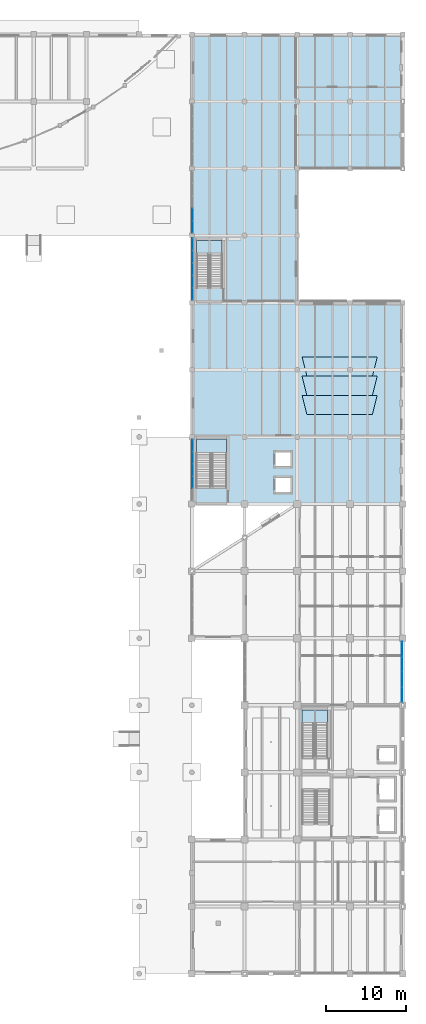
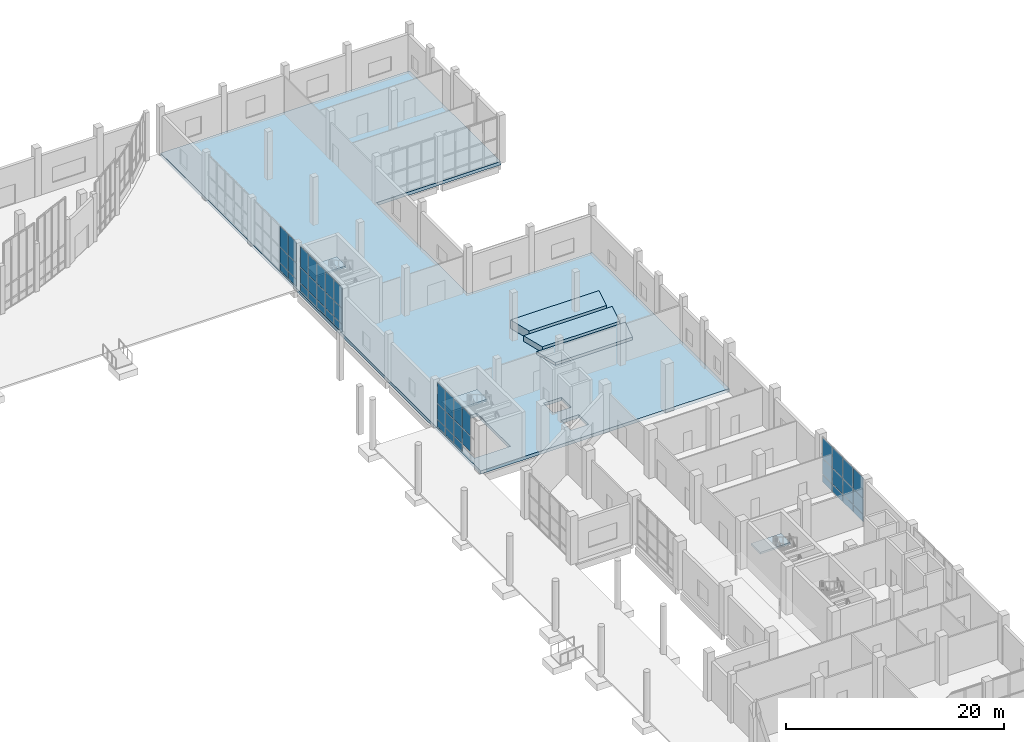
# One storey, part 35 of 64: 44 plates, 7 slabs, 7 elements without a shape of their own.
"""IFC4 building model written with IfcOpenShell, lengths in metres."""

from ifc_helpers import new_model, si_unit, direction, frame, origin, origin_2d, place, context, subcontext, project, spatial, polyline, rectangle, outline, extrude, material, layer, layer_set, type_object, element, aggregate, save


model = new_model("IFC4")

# Units and contexts
model_context = context("Model", 3, precision=1e-05, world=origin(), true_north=direction((0.0, 1.0)))
body_context = subcontext(model_context, "Body", "Model", "MODEL_VIEW")
ifc_project = project(units=[si_unit("LENGTHUNIT", "METRE"), si_unit("AREAUNIT", "SQUARE_METRE"), si_unit("VOLUMEUNIT", "CUBIC_METRE"), si_unit("PLANEANGLEUNIT", "RADIAN"), si_unit("MASSUNIT", "GRAM", prefix="KILO")], contexts=[model_context])

# Site, building, storey
site_placement = place(None, origin())
site = spatial("IfcSite", under=ifc_project, at=site_placement, CompositionType="ELEMENT")
building_placement = place(site_placement, origin())
building = spatial("IfcBuilding", under=site, at=building_placement, Name="Qaldarim Faculty of Natural and Applied Sciences", CompositionType="ELEMENT")
storey_placement = place(building_placement, origin())
storey = spatial("IfcBuildingStorey", under=building, at=storey_placement, Name="L00", CompositionType="ELEMENT", Elevation=0.0)

# Slabs
ifc_material_1 = material(Name="Concrete C40/50", Category="concrete")
ifc_layer_1 = layer(ifc_material_1, 0.360107421875)
ifc_layer_set_1 = layer_set([ifc_layer_1], Name="Concrete C40/50")
slab_type_1 = type_object("IfcSlabType", Name="GroundFloorSlab-360", PredefinedType="FLOOR", material=ifc_layer_set_1)
slab_1_placement = place(storey_placement, frame((0.0, 0.0, -0.360107421875)))
element("IfcSlab", 1, at=slab_1_placement, inside=storey, type_object=slab_type_1, Name="Floor slab L00 V3", PredefinedType="FLOOR", context=body_context, shape_type="SweptSolid", body=[
    extrude(outline(polyline([(151.800048828125, 58.800048828125), (151.800048828125, 117.60009765625), (178.199951171875, 117.60009765625), (178.199951171875, 100.800048828125), (165.0, 100.800048828125), (165.0, 84.0), (178.199951171875, 84.0), (178.199951171875, 58.800048828125), (151.800048828125, 58.800048828125)]), holes=[polyline([(156.14990234375, 60.864990234375), (156.14990234375, 66.97509765625), (152.35009765625, 66.97509765625), (152.35009765625, 60.864990234375), (156.14990234375, 60.864990234375)]), polyline([(162.25, 60.300048828125), (164.14990234375, 60.300048828125), (164.14990234375, 62.10009765625), (162.25, 62.10009765625), (162.25, 60.300048828125)]), polyline([(162.25, 63.5), (164.14990234375, 63.5), (164.14990234375, 65.300048828125), (162.25, 65.300048828125), (162.25, 63.5)])]), origin(), (0.0, 0.0, 1.0), 0.360107421875),
])
ifc_layer_2 = layer(ifc_material_1, 0.239990234375)
ifc_layer_set_2 = layer_set([ifc_layer_2], Name="Concrete C40/50")
slab_type_2 = type_object("IfcSlabType", Name="LectureSeatingTier-240", PredefinedType="USERDEFINED", material=ifc_layer_set_2)
slab_2_placement = place(storey_placement, origin())
element("IfcSlab", 2, at=slab_2_placement, inside=storey, type_object=slab_type_2, Name="Commons stepped reading tier L00 step 1", ObjectType="SEATING TIER", PredefinedType="USERDEFINED", context=body_context, shape_type="SweptSolid", body=[
    extrude(outline(polyline([(166.199951171875, 70.0), (174.39990234375, 70.0), (175.0, 72.39990234375), (165.60009765625, 72.39990234375), (166.199951171875, 70.0)])), origin(), (0.0, 0.0, 1.0), 0.320068359375),
])
slab_3_placement = place(storey_placement, origin())
element("IfcSlab", 3, at=slab_3_placement, inside=storey, type_object=slab_type_2, Name="Commons stepped reading tier L00 step 2", ObjectType="SEATING TIER", PredefinedType="USERDEFINED", context=body_context, shape_type="SweptSolid", body=[
    extrude(outline(polyline([(166.199951171875, 72.39990234375), (174.39990234375, 72.39990234375), (175.0, 74.800048828125), (165.60009765625, 74.800048828125), (166.199951171875, 72.39990234375)])), origin(), (0.0, 0.0, 1.0), 0.639892578125),
])
slab_4_placement = place(storey_placement, origin())
element("IfcSlab", 4, at=slab_4_placement, inside=storey, type_object=slab_type_2, Name="Commons stepped reading tier L00 step 3", ObjectType="SEATING TIER", PredefinedType="USERDEFINED", context=body_context, shape_type="SweptSolid", body=[
    extrude(outline(polyline([(166.199951171875, 74.800048828125), (174.39990234375, 74.800048828125), (175.0, 77.199951171875), (165.60009765625, 77.199951171875), (166.199951171875, 74.800048828125)])), origin(), (0.0, 0.0, 1.0), 0.9599609375),
])

# Curtain wall, plates
ifc_material_2 = material(Name="Anodised aluminium AW-6063", Category="aluminium")
curtain_wall_type_1 = type_object("IfcCurtainWallType", Name="CurtainWallSystem-M1700", PredefinedType="USERDEFINED", material=ifc_material_2)
curtain_wall_1_placement = place(storey_placement, origin())
curtain_wall_1 = element("IfcCurtainWall", 5, at=curtain_wall_1_placement, inside=storey, type_object=curtain_wall_type_1, Name="Curtain wall CW-L00-E-X27Y05", ObjectType="UNITISED FACADE", PredefinedType="USERDEFINED")
ifc_material_3 = material(Name="Insulated low-e double glazing", Category="glass")
ifc_layer_3 = layer(ifc_material_3, 0.031982421875)
ifc_layer_set_3 = layer_set([ifc_layer_3], Name="Insulated low-e double glazing")
plate_type_1 = type_object("IfcPlateType", Name="SolarControlGlazingPanel-32", PredefinedType="CURTAIN_PANEL", material=ifc_layer_set_3)
plate_1_placement = place(storey_placement, frame((178.1201171875, 34.963623046875, 0.070068359375), z_axis=(0.0, 0.0, 1.0), x_axis=(0.0, 1.0, 0.0)))
plate_1 = element("IfcPlate", 6, at=plate_1_placement, type_object=plate_type_1, Name="Glazed panel 1-1 of CW-L00-E-X27Y05", PredefinedType="CURTAIN_PANEL", context=body_context, shape_type="SweptSolid", body=[
    extrude(rectangle(XDim=1.797607421875, YDim=0.031982421875, at=origin_2d()), origin(), (0.0, 0.0, 1.0), 0.794921875),
])
plate_2_placement = place(storey_placement, frame((178.1201171875, 34.963623046875, 0.93505859375), z_axis=(0.0, 0.0, 1.0), x_axis=(0.0, 1.0, 0.0)))
plate_2 = element("IfcPlate", 7, at=plate_2_placement, type_object=plate_type_1, Name="Glazed panel 1-2 of CW-L00-E-X27Y05", PredefinedType="CURTAIN_PANEL", context=body_context, shape_type="SweptSolid", body=[
    extrude(rectangle(XDim=1.797607421875, YDim=0.031982421875, at=origin_2d()), origin(), (0.0, 0.0, 1.0), 1.72998046875),
])
plate_3_placement = place(storey_placement, frame((178.1201171875, 34.963623046875, 2.735107421875), z_axis=(0.0, 0.0, 1.0), x_axis=(0.0, 1.0, 0.0)))
plate_3 = element("IfcPlate", 8, at=plate_3_placement, type_object=plate_type_1, Name="Glazed panel 1-3 of CW-L00-E-X27Y05", PredefinedType="CURTAIN_PANEL", context=body_context, shape_type="SweptSolid", body=[
    extrude(rectangle(XDim=1.797607421875, YDim=0.031982421875, at=origin_2d()), origin(), (0.0, 0.0, 1.0), 2.294921875),
])
plate_4_placement = place(storey_placement, frame((178.1201171875, 36.8486328125, 0.070068359375), z_axis=(0.0, 0.0, 1.0), x_axis=(0.0, 1.0, 0.0)))
plate_4 = element("IfcPlate", 9, at=plate_4_placement, type_object=plate_type_1, Name="Glazed panel 2-1 of CW-L00-E-X27Y05", PredefinedType="CURTAIN_PANEL", context=body_context, shape_type="SweptSolid", body=[
    extrude(rectangle(XDim=1.83251953125, YDim=0.031982421875, at=origin_2d()), origin(), (0.0, 0.0, 1.0), 0.794921875),
])
plate_5_placement = place(storey_placement, frame((178.1201171875, 36.8486328125, 0.93505859375), z_axis=(0.0, 0.0, 1.0), x_axis=(0.0, 1.0, 0.0)))
plate_5 = element("IfcPlate", 10, at=plate_5_placement, type_object=plate_type_1, Name="Glazed panel 2-2 of CW-L00-E-X27Y05", PredefinedType="CURTAIN_PANEL", context=body_context, shape_type="SweptSolid", body=[
    extrude(rectangle(XDim=1.83251953125, YDim=0.031982421875, at=origin_2d()), origin(), (0.0, 0.0, 1.0), 1.72998046875),
])
plate_6_placement = place(storey_placement, frame((178.1201171875, 36.8486328125, 2.735107421875), z_axis=(0.0, 0.0, 1.0), x_axis=(0.0, 1.0, 0.0)))
plate_6 = element("IfcPlate", 11, at=plate_6_placement, type_object=plate_type_1, Name="Glazed panel 2-3 of CW-L00-E-X27Y05", PredefinedType="CURTAIN_PANEL", context=body_context, shape_type="SweptSolid", body=[
    extrude(rectangle(XDim=1.83251953125, YDim=0.031982421875, at=origin_2d()), origin(), (0.0, 0.0, 1.0), 2.294921875),
])
plate_7_placement = place(storey_placement, frame((178.1201171875, 38.751220703125, 0.070068359375), z_axis=(0.0, 0.0, 1.0), x_axis=(0.0, 1.0, 0.0)))
plate_7 = element("IfcPlate", 12, at=plate_7_placement, type_object=plate_type_1, Name="Glazed panel 3-1 of CW-L00-E-X27Y05", PredefinedType="CURTAIN_PANEL", context=body_context, shape_type="SweptSolid", body=[
    extrude(rectangle(XDim=1.83251953125, YDim=0.031982421875, at=origin_2d()), origin(), (0.0, 0.0, 1.0), 0.794921875),
])
plate_8_placement = place(storey_placement, frame((178.1201171875, 38.751220703125, 0.93505859375), z_axis=(0.0, 0.0, 1.0), x_axis=(0.0, 1.0, 0.0)))
plate_8 = element("IfcPlate", 13, at=plate_8_placement, type_object=plate_type_1, Name="Glazed panel 3-2 of CW-L00-E-X27Y05", PredefinedType="CURTAIN_PANEL", context=body_context, shape_type="SweptSolid", body=[
    extrude(rectangle(XDim=1.83251953125, YDim=0.031982421875, at=origin_2d()), origin(), (0.0, 0.0, 1.0), 1.72998046875),
])
plate_9_placement = place(storey_placement, frame((178.1201171875, 38.751220703125, 2.735107421875), z_axis=(0.0, 0.0, 1.0), x_axis=(0.0, 1.0, 0.0)))
plate_9 = element("IfcPlate", 14, at=plate_9_placement, type_object=plate_type_1, Name="Glazed panel 3-3 of CW-L00-E-X27Y05", PredefinedType="CURTAIN_PANEL", context=body_context, shape_type="SweptSolid", body=[
    extrude(rectangle(XDim=1.83251953125, YDim=0.031982421875, at=origin_2d()), origin(), (0.0, 0.0, 1.0), 2.294921875),
])
plate_10_placement = place(storey_placement, frame((178.1201171875, 40.63623046875, 0.070068359375), z_axis=(0.0, 0.0, 1.0), x_axis=(0.0, 1.0, 0.0)))
plate_10 = element("IfcPlate", 15, at=plate_10_placement, type_object=plate_type_1, Name="Glazed panel 4-1 of CW-L00-E-X27Y05", PredefinedType="CURTAIN_PANEL", context=body_context, shape_type="SweptSolid", body=[
    extrude(rectangle(XDim=1.797607421875, YDim=0.031982421875, at=origin_2d()), origin(), (0.0, 0.0, 1.0), 0.794921875),
])
plate_11_placement = place(storey_placement, frame((178.1201171875, 40.63623046875, 0.93505859375), z_axis=(0.0, 0.0, 1.0), x_axis=(0.0, 1.0, 0.0)))
plate_11 = element("IfcPlate", 16, at=plate_11_placement, type_object=plate_type_1, Name="Glazed panel 4-2 of CW-L00-E-X27Y05", PredefinedType="CURTAIN_PANEL", context=body_context, shape_type="SweptSolid", body=[
    extrude(rectangle(XDim=1.797607421875, YDim=0.031982421875, at=origin_2d()), origin(), (0.0, 0.0, 1.0), 1.72998046875),
])
plate_12_placement = place(storey_placement, frame((178.1201171875, 40.63623046875, 2.735107421875), z_axis=(0.0, 0.0, 1.0), x_axis=(0.0, 1.0, 0.0)))
plate_12 = element("IfcPlate", 17, at=plate_12_placement, type_object=plate_type_1, Name="Glazed panel 4-3 of CW-L00-E-X27Y05", PredefinedType="CURTAIN_PANEL", context=body_context, shape_type="SweptSolid", body=[
    extrude(rectangle(XDim=1.797607421875, YDim=0.031982421875, at=origin_2d()), origin(), (0.0, 0.0, 1.0), 2.294921875),
])
aggregate(curtain_wall_1, [plate_1, plate_2, plate_3, plate_4, plate_5, plate_6, plate_7, plate_8, plate_9, plate_10, plate_11, plate_12])

# Stair, slab
stair_type_1 = type_object("IfcStairType", Name="DoglegStair-W1500-H5400-32R", PredefinedType="HALF_TURN_STAIR", material=ifc_material_1)
stair_1_placement = place(storey_placement, origin())
stair_1 = element("IfcStair", 18, at=stair_1_placement, inside=storey, type_object=stair_type_1, Name="Enclosed exit stair ST-A2 L00", PredefinedType="HALF_TURN_STAIR")
ifc_layer_4 = layer(ifc_material_1, 0.2099609375)
ifc_layer_set_4 = layer_set([ifc_layer_4], Name="Concrete C40/50")
slab_type_3 = type_object("IfcSlabType", Name="StairLandingSlab-210", PredefinedType="LANDING", material=ifc_layer_set_4)
slab_5_placement = place(storey_placement, frame((0.0, 0.0, 2.489990234375)))
slab_5 = element("IfcSlab", 19, at=slab_5_placement, type_object=slab_type_3, Name="ST-A2 L00 half-landing 1", PredefinedType="LANDING", context=body_context, shape_type="SweptSolid", body=[
    extrude(outline(polyline([(168.800048828125, 31.31005859375), (168.800048828125, 33.0), (165.60009765625, 33.0), (165.60009765625, 31.31005859375), (168.800048828125, 31.31005859375)])), origin(), (0.0, 0.0, 1.0), 0.2099609375),
])
aggregate(stair_1, [slab_5])

stair_type_2 = type_object("IfcStairType", Name="DoglegStair-W1800-H5400-32R", PredefinedType="HALF_TURN_STAIR", material=ifc_material_1)
stair_2_placement = place(storey_placement, origin())
stair_2 = element("IfcStair", 20, at=stair_2_placement, inside=storey, type_object=stair_type_2, Name="Enclosed exit stair ST-C1 L00", PredefinedType="HALF_TURN_STAIR")
slab_6_placement = place(storey_placement, frame((0.0, 0.0, 2.489990234375)))
slab_6 = element("IfcSlab", 21, at=slab_6_placement, type_object=slab_type_3, Name="ST-C1 L00 half-landing 1", PredefinedType="LANDING", context=body_context, shape_type="SweptSolid", body=[
    extrude(outline(polyline([(156.14990234375, 65.110107421875), (156.14990234375, 66.949951171875), (152.35009765625, 66.949951171875), (152.35009765625, 65.110107421875), (156.14990234375, 65.110107421875)])), origin(), (0.0, 0.0, 1.0), 0.2099609375),
])
aggregate(stair_2, [slab_6])

stair_3_placement = place(storey_placement, origin())
stair_3 = element("IfcStair", 22, at=stair_3_placement, inside=storey, type_object=stair_type_1, Name="Enclosed exit stair ST-C2 L00", PredefinedType="HALF_TURN_STAIR")
slab_7_placement = place(storey_placement, frame((0.0, 0.0, 2.489990234375)))
slab_7 = element("IfcSlab", 23, at=slab_7_placement, type_object=slab_type_3, Name="ST-C2 L00 half-landing 1", PredefinedType="LANDING", context=body_context, shape_type="SweptSolid", body=[
    extrude(outline(polyline([(155.60009765625, 90.110107421875), (155.60009765625, 91.800048828125), (152.39990234375, 91.800048828125), (152.39990234375, 90.110107421875), (155.60009765625, 90.110107421875)])), origin(), (0.0, 0.0, 1.0), 0.2099609375),
])
aggregate(stair_3, [slab_7])

# Curtain wall, plates
curtain_wall_type_2 = type_object("IfcCurtainWallType", Name="CurtainWallSystem-M1600", PredefinedType="USERDEFINED", material=ifc_material_2)
curtain_wall_2_placement = place(storey_placement, origin())
curtain_wall_2 = element("IfcCurtainWall", 24, at=curtain_wall_2_placement, inside=storey, type_object=curtain_wall_type_2, Name="Curtain wall CW-L00-W-X24Y08", ObjectType="UNITISED FACADE", PredefinedType="USERDEFINED")
ifc_layer_5 = layer(ifc_material_3, 0.028076171875)
ifc_layer_set_5 = layer_set([ifc_layer_5], Name="Insulated low-e double glazing")
plate_type_2 = type_object("IfcPlateType", Name="VisionGlazingPanel-28", PredefinedType="CURTAIN_PANEL", material=ifc_layer_set_5)
plate_13_placement = place(storey_placement, frame((151.8798828125, 66.118896484375, 0.06005859375), z_axis=(0.0, 0.0, 1.0), x_axis=(0.0, -1.0, 0.0)))
plate_13 = element("IfcPlate", 25, at=plate_13_placement, type_object=plate_type_2, Name="Glazed panel 1-1 of CW-L00-W-X24Y08", PredefinedType="CURTAIN_PANEL", context=body_context, shape_type="SweptSolid", body=[
    extrude(rectangle(XDim=1.451904296875, YDim=0.028076171875, at=origin_2d()), origin(), (0.0, 0.0, 1.0), 0.81005859375),
])
plate_14_placement = place(storey_placement, frame((151.8798828125, 66.118896484375, 0.93017578125), z_axis=(0.0, 0.0, 1.0), x_axis=(0.0, -1.0, 0.0)))
plate_14 = element("IfcPlate", 26, at=plate_14_placement, type_object=plate_type_2, Name="Glazed panel 1-2 of CW-L00-W-X24Y08", PredefinedType="CURTAIN_PANEL", context=body_context, shape_type="SweptSolid", body=[
    extrude(rectangle(XDim=1.451904296875, YDim=0.028076171875, at=origin_2d()), origin(), (0.0, 0.0, 1.0), 1.739990234375),
])
plate_15_placement = place(storey_placement, frame((151.8798828125, 66.118896484375, 2.72998046875), z_axis=(0.0, 0.0, 1.0), x_axis=(0.0, -1.0, 0.0)))
plate_15 = element("IfcPlate", 27, at=plate_15_placement, type_object=plate_type_2, Name="Glazed panel 1-3 of CW-L00-W-X24Y08", PredefinedType="CURTAIN_PANEL", context=body_context, shape_type="SweptSolid", body=[
    extrude(rectangle(XDim=1.451904296875, YDim=0.028076171875, at=origin_2d()), origin(), (0.0, 0.0, 1.0), 2.31005859375),
])
plate_16_placement = place(storey_placement, frame((151.8798828125, 64.592041015625, 0.06005859375), z_axis=(0.0, 0.0, 1.0), x_axis=(0.0, -1.0, 0.0)))
plate_16 = element("IfcPlate", 28, at=plate_16_placement, type_object=plate_type_2, Name="Glazed panel 2-1 of CW-L00-W-X24Y08", PredefinedType="CURTAIN_PANEL", context=body_context, shape_type="SweptSolid", body=[
    extrude(rectangle(XDim=1.48193359375, YDim=0.028076171875, at=origin_2d()), origin(), (0.0, 0.0, 1.0), 0.81005859375),
])
plate_17_placement = place(storey_placement, frame((151.8798828125, 64.592041015625, 0.93017578125), z_axis=(0.0, 0.0, 1.0), x_axis=(0.0, -1.0, 0.0)))
plate_17 = element("IfcPlate", 29, at=plate_17_placement, type_object=plate_type_2, Name="Glazed panel 2-2 of CW-L00-W-X24Y08", PredefinedType="CURTAIN_PANEL", context=body_context, shape_type="SweptSolid", body=[
    extrude(rectangle(XDim=1.48193359375, YDim=0.028076171875, at=origin_2d()), origin(), (0.0, 0.0, 1.0), 1.739990234375),
])
plate_18_placement = place(storey_placement, frame((151.8798828125, 64.592041015625, 2.72998046875), z_axis=(0.0, 0.0, 1.0), x_axis=(0.0, -1.0, 0.0)))
plate_18 = element("IfcPlate", 30, at=plate_18_placement, type_object=plate_type_2, Name="Glazed panel 2-3 of CW-L00-W-X24Y08", PredefinedType="CURTAIN_PANEL", context=body_context, shape_type="SweptSolid", body=[
    extrude(rectangle(XDim=1.48193359375, YDim=0.028076171875, at=origin_2d()), origin(), (0.0, 0.0, 1.0), 2.31005859375),
])
plate_19_placement = place(storey_placement, frame((151.8798828125, 63.050048828125, 0.06005859375), z_axis=(0.0, 0.0, 1.0), x_axis=(0.0, -1.0, 0.0)))
plate_19 = element("IfcPlate", 31, at=plate_19_placement, type_object=plate_type_2, Name="Glazed panel 3-1 of CW-L00-W-X24Y08", PredefinedType="CURTAIN_PANEL", context=body_context, shape_type="SweptSolid", body=[
    extrude(rectangle(XDim=1.48193359375, YDim=0.028076171875, at=origin_2d()), origin(), (0.0, 0.0, 1.0), 0.81005859375),
])
plate_20_placement = place(storey_placement, frame((151.8798828125, 63.050048828125, 0.93017578125), z_axis=(0.0, 0.0, 1.0), x_axis=(0.0, -1.0, 0.0)))
plate_20 = element("IfcPlate", 32, at=plate_20_placement, type_object=plate_type_2, Name="Glazed panel 3-2 of CW-L00-W-X24Y08", PredefinedType="CURTAIN_PANEL", context=body_context, shape_type="SweptSolid", body=[
    extrude(rectangle(XDim=1.48193359375, YDim=0.028076171875, at=origin_2d()), origin(), (0.0, 0.0, 1.0), 1.739990234375),
])
plate_21_placement = place(storey_placement, frame((151.8798828125, 63.050048828125, 2.72998046875), z_axis=(0.0, 0.0, 1.0), x_axis=(0.0, -1.0, 0.0)))
plate_21 = element("IfcPlate", 33, at=plate_21_placement, type_object=plate_type_2, Name="Glazed panel 3-3 of CW-L00-W-X24Y08", PredefinedType="CURTAIN_PANEL", context=body_context, shape_type="SweptSolid", body=[
    extrude(rectangle(XDim=1.48193359375, YDim=0.028076171875, at=origin_2d()), origin(), (0.0, 0.0, 1.0), 2.31005859375),
])
plate_22_placement = place(storey_placement, frame((151.8798828125, 61.508056640625, 0.93017578125), z_axis=(0.0, 0.0, 1.0), x_axis=(0.0, -1.0, 0.0)))
plate_22 = element("IfcPlate", 34, at=plate_22_placement, type_object=plate_type_2, Name="Glazed panel 4-2 of CW-L00-W-X24Y08", PredefinedType="CURTAIN_PANEL", context=body_context, shape_type="SweptSolid", body=[
    extrude(rectangle(XDim=1.48193359375, YDim=0.028076171875, at=origin_2d()), origin(), (0.0, 0.0, 1.0), 1.739990234375),
])
plate_23_placement = place(storey_placement, frame((151.8798828125, 61.508056640625, 2.72998046875), z_axis=(0.0, 0.0, 1.0), x_axis=(0.0, -1.0, 0.0)))
plate_23 = element("IfcPlate", 35, at=plate_23_placement, type_object=plate_type_2, Name="Glazed panel 4-3 of CW-L00-W-X24Y08", PredefinedType="CURTAIN_PANEL", context=body_context, shape_type="SweptSolid", body=[
    extrude(rectangle(XDim=1.48193359375, YDim=0.028076171875, at=origin_2d()), origin(), (0.0, 0.0, 1.0), 2.31005859375),
])
aggregate(curtain_wall_2, [plate_13, plate_14, plate_15, plate_16, plate_17, plate_18, plate_19, plate_20, plate_21, plate_22, plate_23])

curtain_wall_3_placement = place(storey_placement, origin())
curtain_wall_3 = element("IfcCurtainWall", 36, at=curtain_wall_3_placement, inside=storey, type_object=curtain_wall_type_2, Name="Curtain wall CW-L00-W-X24Y11", ObjectType="UNITISED FACADE", PredefinedType="USERDEFINED")
plate_24_placement = place(storey_placement, frame((151.8798828125, 91.30908203125, 0.06005859375), z_axis=(0.0, 0.0, 1.0), x_axis=(0.0, -1.0, 0.0)))
plate_24 = element("IfcPlate", 37, at=plate_24_placement, type_object=plate_type_2, Name="Glazed panel 1-1 of CW-L00-W-X24Y11", PredefinedType="CURTAIN_PANEL", context=body_context, shape_type="SweptSolid", body=[
    extrude(rectangle(XDim=1.471923828125, YDim=0.028076171875, at=origin_2d()), origin(), (0.0, 0.0, 1.0), 0.81005859375),
])
plate_25_placement = place(storey_placement, frame((151.8798828125, 91.30908203125, 0.93017578125), z_axis=(0.0, 0.0, 1.0), x_axis=(0.0, -1.0, 0.0)))
plate_25 = element("IfcPlate", 38, at=plate_25_placement, type_object=plate_type_2, Name="Glazed panel 1-2 of CW-L00-W-X24Y11", PredefinedType="CURTAIN_PANEL", context=body_context, shape_type="SweptSolid", body=[
    extrude(rectangle(XDim=1.471923828125, YDim=0.028076171875, at=origin_2d()), origin(), (0.0, 0.0, 1.0), 1.739990234375),
])
plate_26_placement = place(storey_placement, frame((151.8798828125, 91.30908203125, 2.72998046875), z_axis=(0.0, 0.0, 1.0), x_axis=(0.0, -1.0, 0.0)))
plate_26 = element("IfcPlate", 39, at=plate_26_placement, type_object=plate_type_2, Name="Glazed panel 1-3 of CW-L00-W-X24Y11", PredefinedType="CURTAIN_PANEL", context=body_context, shape_type="SweptSolid", body=[
    extrude(rectangle(XDim=1.471923828125, YDim=0.028076171875, at=origin_2d()), origin(), (0.0, 0.0, 1.0), 2.31005859375),
])
plate_27_placement = place(storey_placement, frame((151.8798828125, 89.761962890625, 0.06005859375), z_axis=(0.0, 0.0, 1.0), x_axis=(0.0, -1.0, 0.0)))
plate_27 = element("IfcPlate", 40, at=plate_27_placement, type_object=plate_type_2, Name="Glazed panel 2-1 of CW-L00-W-X24Y11", PredefinedType="CURTAIN_PANEL", context=body_context, shape_type="SweptSolid", body=[
    extrude(rectangle(XDim=1.501953125, YDim=0.028076171875, at=origin_2d()), origin(), (0.0, 0.0, 1.0), 0.81005859375),
])
plate_28_placement = place(storey_placement, frame((151.8798828125, 89.761962890625, 0.93017578125), z_axis=(0.0, 0.0, 1.0), x_axis=(0.0, -1.0, 0.0)))
plate_28 = element("IfcPlate", 41, at=plate_28_placement, type_object=plate_type_2, Name="Glazed panel 2-2 of CW-L00-W-X24Y11", PredefinedType="CURTAIN_PANEL", context=body_context, shape_type="SweptSolid", body=[
    extrude(rectangle(XDim=1.501953125, YDim=0.028076171875, at=origin_2d()), origin(), (0.0, 0.0, 1.0), 1.739990234375),
])
plate_29_placement = place(storey_placement, frame((151.8798828125, 89.761962890625, 2.72998046875), z_axis=(0.0, 0.0, 1.0), x_axis=(0.0, -1.0, 0.0)))
plate_29 = element("IfcPlate", 42, at=plate_29_placement, type_object=plate_type_2, Name="Glazed panel 2-3 of CW-L00-W-X24Y11", PredefinedType="CURTAIN_PANEL", context=body_context, shape_type="SweptSolid", body=[
    extrude(rectangle(XDim=1.501953125, YDim=0.028076171875, at=origin_2d()), origin(), (0.0, 0.0, 1.0), 2.31005859375),
])
plate_30_placement = place(storey_placement, frame((151.8798828125, 88.199951171875, 0.06005859375), z_axis=(0.0, 0.0, 1.0), x_axis=(0.0, -1.0, 0.0)))
plate_30 = element("IfcPlate", 43, at=plate_30_placement, type_object=plate_type_2, Name="Glazed panel 3-1 of CW-L00-W-X24Y11", PredefinedType="CURTAIN_PANEL", context=body_context, shape_type="SweptSolid", body=[
    extrude(rectangle(XDim=1.501953125, YDim=0.028076171875, at=origin_2d()), origin(), (0.0, 0.0, 1.0), 0.81005859375),
])
plate_31_placement = place(storey_placement, frame((151.8798828125, 88.199951171875, 0.93017578125), z_axis=(0.0, 0.0, 1.0), x_axis=(0.0, -1.0, 0.0)))
plate_31 = element("IfcPlate", 44, at=plate_31_placement, type_object=plate_type_2, Name="Glazed panel 3-2 of CW-L00-W-X24Y11", PredefinedType="CURTAIN_PANEL", context=body_context, shape_type="SweptSolid", body=[
    extrude(rectangle(XDim=1.501953125, YDim=0.028076171875, at=origin_2d()), origin(), (0.0, 0.0, 1.0), 1.739990234375),
])
plate_32_placement = place(storey_placement, frame((151.8798828125, 88.199951171875, 2.72998046875), z_axis=(0.0, 0.0, 1.0), x_axis=(0.0, -1.0, 0.0)))
plate_32 = element("IfcPlate", 45, at=plate_32_placement, type_object=plate_type_2, Name="Glazed panel 3-3 of CW-L00-W-X24Y11", PredefinedType="CURTAIN_PANEL", context=body_context, shape_type="SweptSolid", body=[
    extrude(rectangle(XDim=1.501953125, YDim=0.028076171875, at=origin_2d()), origin(), (0.0, 0.0, 1.0), 2.31005859375),
])
plate_33_placement = place(storey_placement, frame((151.8798828125, 86.637939453125, 0.06005859375), z_axis=(0.0, 0.0, 1.0), x_axis=(0.0, -1.0, 0.0)))
plate_33 = element("IfcPlate", 46, at=plate_33_placement, type_object=plate_type_2, Name="Glazed panel 4-1 of CW-L00-W-X24Y11", PredefinedType="CURTAIN_PANEL", context=body_context, shape_type="SweptSolid", body=[
    extrude(rectangle(XDim=1.501953125, YDim=0.028076171875, at=origin_2d()), origin(), (0.0, 0.0, 1.0), 0.81005859375),
])
plate_34_placement = place(storey_placement, frame((151.8798828125, 86.637939453125, 0.93017578125), z_axis=(0.0, 0.0, 1.0), x_axis=(0.0, -1.0, 0.0)))
plate_34 = element("IfcPlate", 47, at=plate_34_placement, type_object=plate_type_2, Name="Glazed panel 4-2 of CW-L00-W-X24Y11", PredefinedType="CURTAIN_PANEL", context=body_context, shape_type="SweptSolid", body=[
    extrude(rectangle(XDim=1.501953125, YDim=0.028076171875, at=origin_2d()), origin(), (0.0, 0.0, 1.0), 1.739990234375),
])
plate_35_placement = place(storey_placement, frame((151.8798828125, 86.637939453125, 2.72998046875), z_axis=(0.0, 0.0, 1.0), x_axis=(0.0, -1.0, 0.0)))
plate_35 = element("IfcPlate", 48, at=plate_35_placement, type_object=plate_type_2, Name="Glazed panel 4-3 of CW-L00-W-X24Y11", PredefinedType="CURTAIN_PANEL", context=body_context, shape_type="SweptSolid", body=[
    extrude(rectangle(XDim=1.501953125, YDim=0.028076171875, at=origin_2d()), origin(), (0.0, 0.0, 1.0), 2.31005859375),
])
plate_36_placement = place(storey_placement, frame((151.8798828125, 85.091064453125, 0.06005859375), z_axis=(0.0, 0.0, 1.0), x_axis=(0.0, -1.0, 0.0)))
plate_36 = element("IfcPlate", 49, at=plate_36_placement, type_object=plate_type_2, Name="Glazed panel 5-1 of CW-L00-W-X24Y11", PredefinedType="CURTAIN_PANEL", context=body_context, shape_type="SweptSolid", body=[
    extrude(rectangle(XDim=1.471923828125, YDim=0.028076171875, at=origin_2d()), origin(), (0.0, 0.0, 1.0), 0.81005859375),
])
plate_37_placement = place(storey_placement, frame((151.8798828125, 85.091064453125, 0.93017578125), z_axis=(0.0, 0.0, 1.0), x_axis=(0.0, -1.0, 0.0)))
plate_37 = element("IfcPlate", 50, at=plate_37_placement, type_object=plate_type_2, Name="Glazed panel 5-2 of CW-L00-W-X24Y11", PredefinedType="CURTAIN_PANEL", context=body_context, shape_type="SweptSolid", body=[
    extrude(rectangle(XDim=1.471923828125, YDim=0.028076171875, at=origin_2d()), origin(), (0.0, 0.0, 1.0), 1.739990234375),
])
plate_38_placement = place(storey_placement, frame((151.8798828125, 85.091064453125, 2.72998046875), z_axis=(0.0, 0.0, 1.0), x_axis=(0.0, -1.0, 0.0)))
plate_38 = element("IfcPlate", 51, at=plate_38_placement, type_object=plate_type_2, Name="Glazed panel 5-3 of CW-L00-W-X24Y11", PredefinedType="CURTAIN_PANEL", context=body_context, shape_type="SweptSolid", body=[
    extrude(rectangle(XDim=1.471923828125, YDim=0.028076171875, at=origin_2d()), origin(), (0.0, 0.0, 1.0), 2.31005859375),
])
aggregate(curtain_wall_3, [plate_24, plate_25, plate_26, plate_27, plate_28, plate_29, plate_30, plate_31, plate_32, plate_33, plate_34, plate_35, plate_36, plate_37, plate_38])

curtain_wall_4_placement = place(storey_placement, origin())
curtain_wall_4 = element("IfcCurtainWall", 52, at=curtain_wall_4_placement, inside=storey, type_object=curtain_wall_type_2, Name="Curtain wall CW-L00-W-X24Y12", ObjectType="UNITISED FACADE", PredefinedType="USERDEFINED")
plate_39_placement = place(storey_placement, frame((151.8798828125, 95.0380859375, 0.06005859375), z_axis=(0.0, 0.0, 1.0), x_axis=(0.0, -1.0, 0.0)))
plate_39 = element("IfcPlate", 53, at=plate_39_placement, type_object=plate_type_2, Name="Glazed panel 4-1 of CW-L00-W-X24Y12", PredefinedType="CURTAIN_PANEL", context=body_context, shape_type="SweptSolid", body=[
    extrude(rectangle(XDim=1.501953125, YDim=0.028076171875, at=origin_2d()), origin(), (0.0, 0.0, 1.0), 0.81005859375),
])
plate_40_placement = place(storey_placement, frame((151.8798828125, 95.0380859375, 0.93017578125), z_axis=(0.0, 0.0, 1.0), x_axis=(0.0, -1.0, 0.0)))
plate_40 = element("IfcPlate", 54, at=plate_40_placement, type_object=plate_type_2, Name="Glazed panel 4-2 of CW-L00-W-X24Y12", PredefinedType="CURTAIN_PANEL", context=body_context, shape_type="SweptSolid", body=[
    extrude(rectangle(XDim=1.501953125, YDim=0.028076171875, at=origin_2d()), origin(), (0.0, 0.0, 1.0), 1.739990234375),
])
plate_41_placement = place(storey_placement, frame((151.8798828125, 95.0380859375, 2.72998046875), z_axis=(0.0, 0.0, 1.0), x_axis=(0.0, -1.0, 0.0)))
plate_41 = element("IfcPlate", 55, at=plate_41_placement, type_object=plate_type_2, Name="Glazed panel 4-3 of CW-L00-W-X24Y12", PredefinedType="CURTAIN_PANEL", context=body_context, shape_type="SweptSolid", body=[
    extrude(rectangle(XDim=1.501953125, YDim=0.028076171875, at=origin_2d()), origin(), (0.0, 0.0, 1.0), 2.31005859375),
])
plate_42_placement = place(storey_placement, frame((151.8798828125, 93.490966796875, 0.06005859375), z_axis=(0.0, 0.0, 1.0), x_axis=(0.0, -1.0, 0.0)))
plate_42 = element("IfcPlate", 56, at=plate_42_placement, type_object=plate_type_2, Name="Glazed panel 5-1 of CW-L00-W-X24Y12", PredefinedType="CURTAIN_PANEL", context=body_context, shape_type="SweptSolid", body=[
    extrude(rectangle(XDim=1.471923828125, YDim=0.028076171875, at=origin_2d()), origin(), (0.0, 0.0, 1.0), 0.81005859375),
])
plate_43_placement = place(storey_placement, frame((151.8798828125, 93.490966796875, 0.93017578125), z_axis=(0.0, 0.0, 1.0), x_axis=(0.0, -1.0, 0.0)))
plate_43 = element("IfcPlate", 57, at=plate_43_placement, type_object=plate_type_2, Name="Glazed panel 5-2 of CW-L00-W-X24Y12", PredefinedType="CURTAIN_PANEL", context=body_context, shape_type="SweptSolid", body=[
    extrude(rectangle(XDim=1.471923828125, YDim=0.028076171875, at=origin_2d()), origin(), (0.0, 0.0, 1.0), 1.739990234375),
])
plate_44_placement = place(storey_placement, frame((151.8798828125, 93.490966796875, 2.72998046875), z_axis=(0.0, 0.0, 1.0), x_axis=(0.0, -1.0, 0.0)))
plate_44 = element("IfcPlate", 58, at=plate_44_placement, type_object=plate_type_2, Name="Glazed panel 5-3 of CW-L00-W-X24Y12", PredefinedType="CURTAIN_PANEL", context=body_context, shape_type="SweptSolid", body=[
    extrude(rectangle(XDim=1.471923828125, YDim=0.028076171875, at=origin_2d()), origin(), (0.0, 0.0, 1.0), 2.31005859375),
])
aggregate(curtain_wall_4, [plate_39, plate_40, plate_41, plate_42, plate_43, plate_44])

save(model, "model.ifc")
